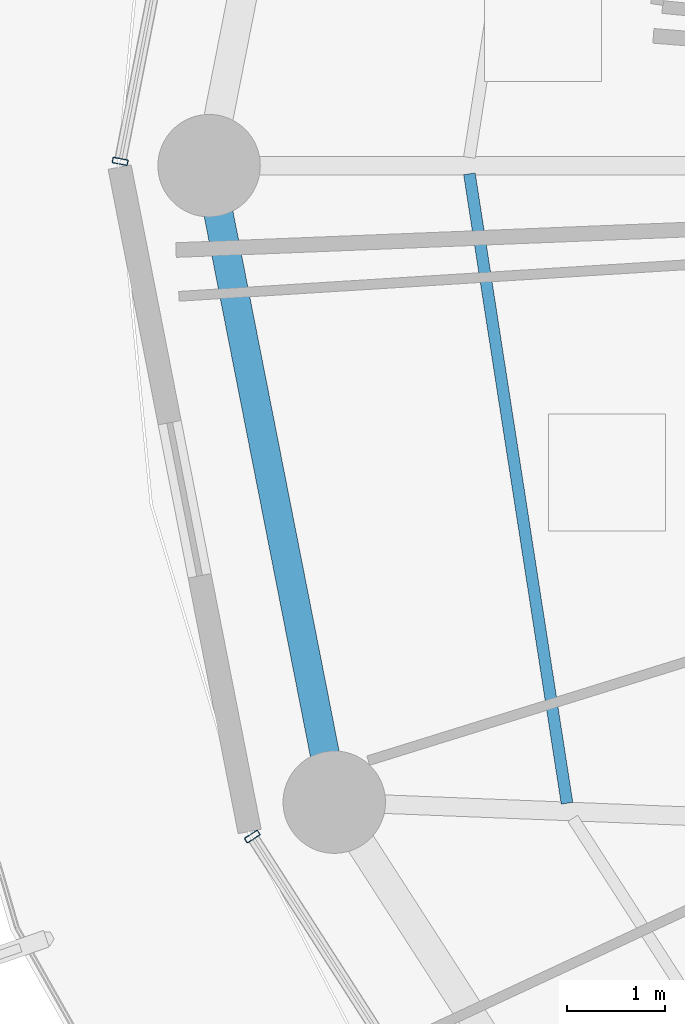
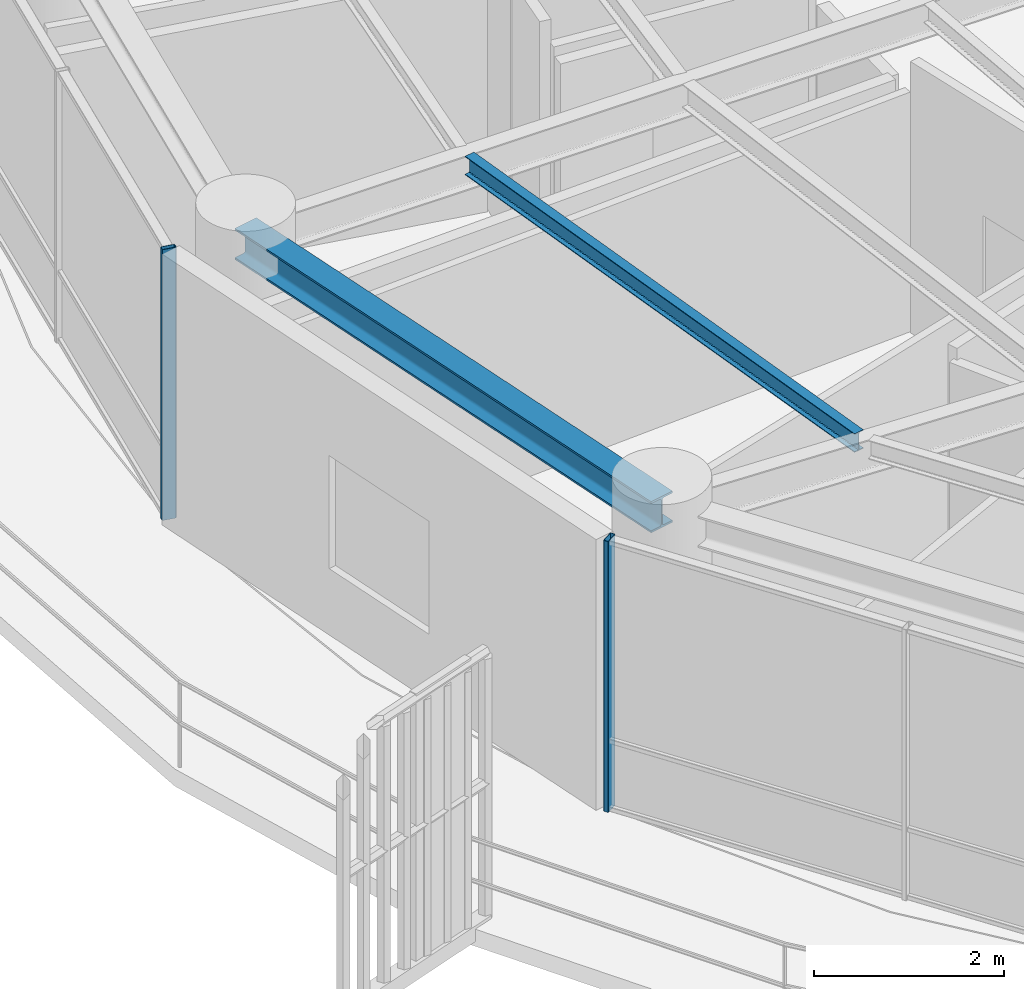
# One storey, part 6 of 30: 2 beams, 2 members, 2 elements without a shape of their own.
"""IFC4 building model written with IfcOpenShell, lengths in metres."""

import ifcopenshell
import ifcopenshell.guid

model = None  # the IFC model being written
_history = None  # IfcOwnerHistory: only IFC2X3 demands one
_inside = {}  # id of a spatial element -> (the spatial element, [elements in it])
_under = {}  # id of a project, library or spatial element -> (it, [spatial elements below it])
_declared = {}  # id of a project -> (the project, [libraries it declares])
_typed = {}  # id of a type object -> (the type object, [elements of that type])
_made_of = {}  # id of a material, layer set ... -> (it, [elements and type objects made of it])


def new_model(schema):
    """Start an empty IFC model of exactly this schema.

    Asked for "IFC4X3", IfcOpenShell would pick the latest addendum, in which some entities
    have other attributes; the version numbers below select the first issue.
    IFC2X3 requires an IfcOwnerHistory on every rooted entity: one is made here for all.
    """
    global model, _history
    if schema == "IFC4X3":
        model = ifcopenshell.file(schema_version=(4, 3, 0, 0))
    else:
        model = ifcopenshell.file(schema=schema)
    _inside.clear()
    _under.clear()
    _declared.clear()
    _typed.clear()
    _made_of.clear()
    _history = None
    if model.schema == "IFC2X3":
        org = make("IfcOrganization", Name="unknown")
        user = make(
            "IfcPersonAndOrganization",
            ThePerson=make("IfcPerson", FamilyName="unknown"),
            TheOrganization=org,
        )
        app = make(
            "IfcApplication",
            ApplicationDeveloper=org,
            Version="unknown",
            ApplicationFullName="unknown",
            ApplicationIdentifier="unknown",
        )
        _history = make(
            "IfcOwnerHistory",
            OwningUser=user,
            OwningApplication=app,
            ChangeAction="ADDED",
            CreationDate=0,
        )
    return model


def make(cls, **values):
    """One entity of the class cls with the attributes given. An attribute that is None is left unset."""
    return model.create_entity(
        cls, **{name: value for name, value in values.items() if value is not None}
    )


def rooted(cls, **values):
    """An entity with a GlobalId (a new one), such as an element, a storey or a relation."""
    return make(cls, GlobalId=ifcopenshell.guid.new(), OwnerHistory=_history, **values)


def si_unit(unit_type, name, prefix=None):
    """IfcSIUnit, for example si_unit("LENGTHUNIT", "METRE", prefix="MILLI")."""
    return make("IfcSIUnit", UnitType=unit_type, Prefix=prefix, Name=name)


def assignment(units):
    """IfcUnitAssignment: the units of a project."""
    return None if units is None else make("IfcUnitAssignment", Units=units)


def point(xyz):
    """IfcCartesianPoint."""
    return None if xyz is None else make("IfcCartesianPoint", Coordinates=xyz)


def direction(xyz):
    """IfcDirection."""
    return None if xyz is None else make("IfcDirection", DirectionRatios=xyz)


def frame(location, z_axis=None, x_axis=None):
    """IfcAxis2Placement3D, a coordinate frame: its origin and axes. An axis left out is left unset."""
    return make(
        "IfcAxis2Placement3D",
        Location=point(location),
        Axis=direction(z_axis),
        RefDirection=direction(x_axis),
    )


def frame_2d(location, x_axis=None):
    """IfcAxis2Placement2D, a coordinate frame in the plane: its origin and x axis."""
    return make(
        "IfcAxis2Placement2D", Location=point(location), RefDirection=direction(x_axis)
    )


def origin():
    """The frame at (0, 0, 0) with its axes left unset."""
    return frame((0.0, 0.0, 0.0))


def origin_2d():
    """The frame at (0, 0) in the plane with its x axis left unset."""
    return frame_2d((0.0, 0.0))


def place(relative_to, where):
    """IfcLocalPlacement: puts the frame where relative to a parent placement (None: the world)."""
    return make(
        "IfcLocalPlacement", PlacementRelTo=relative_to, RelativePlacement=where
    )


def context(
    kind, dimensions, precision=None, world=None, true_north=None, identifier=None
):
    """IfcGeometricRepresentationContext, for example the 3D "Model" context."""
    return make(
        "IfcGeometricRepresentationContext",
        ContextIdentifier=identifier,
        ContextType=kind,
        CoordinateSpaceDimension=dimensions,
        Precision=precision,
        WorldCoordinateSystem=world,
        TrueNorth=true_north,
    )


def subcontext(parent, identifier, kind, view, scale=None):
    """IfcGeometricRepresentationSubContext, for example "Body" below "Model"."""
    return make(
        "IfcGeometricRepresentationSubContext",
        ContextIdentifier=identifier,
        ContextType=kind,
        ParentContext=parent,
        TargetScale=scale,
        TargetView=view,
    )


def project(units=None, contexts=None):
    """IfcProject with its units and contexts."""
    return rooted(
        "IfcProject",
        Name="project",
        RepresentationContexts=contexts,
        UnitsInContext=assignment(units),
    )


def spatial(cls, under=None, at=None, **own):
    """A site, building, storey or space (cls), placed at a placement, below another one or the project."""
    s = rooted(cls, ObjectPlacement=at, **own)
    if under is not None:
        _under.setdefault(under.id(), (under, []))[1].append(s)
    return s


def profile(cls, at=None, kind="AREA", **sizes):
    """A parametric profile (cls). Its sizes go by their IFC names, for example OverallWidth=200.0."""
    return make(cls, ProfileType=kind, Position=at, **sizes)


def hollow_rectangle(**sizes):
    """IfcRectangleHollowProfileDef."""
    return profile("IfcRectangleHollowProfileDef", **sizes)


def i_section(**sizes):
    """IfcIShapeProfileDef."""
    return profile("IfcIShapeProfileDef", **sizes)


def extrude(swept, where, along, depth):
    """IfcExtrudedAreaSolid: the profile swept, set in the frame where, extruded along a direction by depth."""
    return make(
        "IfcExtrudedAreaSolid",
        SweptArea=swept,
        Position=where,
        ExtrudedDirection=direction(along),
        Depth=depth,
    )


def shape(context_of_items, identifier, shape_type, items):
    """IfcShapeRepresentation: the items that make up one representation, for example the "Body"."""
    return make(
        "IfcShapeRepresentation",
        ContextOfItems=context_of_items,
        RepresentationIdentifier=identifier,
        RepresentationType=shape_type,
        Items=items,
    )


def material(Name=None, Category=None):
    """IfcMaterial."""
    return make("IfcMaterial", Name=Name, Category=Category)


def layer(
    of_material, thickness, ventilated=None, Name=None, Category=None, Priority=None
):
    """IfcMaterialLayer: one layer of a wall or slab, of a material (None: an air gap)."""
    return make(
        "IfcMaterialLayer",
        Material=of_material,
        LayerThickness=thickness,
        IsVentilated=ventilated,
        Name=Name,
        Category=Category,
        Priority=Priority,
    )


def layer_set(layers, Name=None):
    """IfcMaterialLayerSet."""
    return make("IfcMaterialLayerSet", MaterialLayers=layers, LayerSetName=Name)


def material_profile(
    of_material, cross_section, Name=None, Category=None, Priority=None
):
    """IfcMaterialProfile: a cross section and its material."""
    return make(
        "IfcMaterialProfile",
        Name=Name,
        Material=of_material,
        Profile=cross_section,
        Priority=Priority,
        Category=Category,
    )


def profile_set(profiles, Name=None, composite=None):
    """IfcMaterialProfileSet."""
    return make(
        "IfcMaterialProfileSet",
        Name=Name,
        MaterialProfiles=profiles,
        CompositeProfile=composite,
    )


def made_of(thing, what):
    """Note that an element or type object is made of a material, layer set ...; save() writes the relation."""
    if what is not None:
        _made_of.setdefault(what.id(), (what, []))[1].append(thing)
    return thing


def type_object(cls, material=None, **own):
    """A type object (cls), such as IfcWallType, which elements share."""
    return made_of(rooted(cls, **own), material)


def element(
    cls,
    number,
    at=None,
    inside=None,
    cuts=None,
    type_object=None,
    material=None,
    context=None,
    identifier="Body",
    shape_type=None,
    held_by="IfcProductDefinitionShape",
    body=None,
    shapes=None,
    **own,
):
    """One element of the class cls, such as IfcWall. Its Tag is "e" and its number.

    at: its placement. inside: the storey or other place that contains it. cuts: it is an
    opening in that element (IfcRelVoidsElement). A single representation is given by context,
    identifier, shape_type and body (its items); several are given by shapes. held_by: the class
    of the entity that holds the representations. save() writes the other relations.
    """
    e = rooted(cls, Tag="e%d" % number, ObjectPlacement=at, **own)
    if body is not None:
        shapes = [shape(context, identifier, shape_type, body)]
    if shapes is not None:
        e.Representation = make(held_by, Representations=shapes)
    if inside is not None:
        _inside.setdefault(inside.id(), (inside, []))[1].append(e)
    if cuts is not None:
        rooted(
            "IfcRelVoidsElement", RelatingBuildingElement=cuts, RelatedOpeningElement=e
        )
    if type_object is not None:
        _typed.setdefault(type_object.id(), (type_object, []))[1].append(e)
    return made_of(e, material)


def aggregate(whole, parts):
    """IfcRelAggregates: a whole, such as a stair, and the parts it consists of."""
    return rooted("IfcRelAggregates", RelatingObject=whole, RelatedObjects=parts)


def save(model, path):
    """Write the relations noted so far, then the file.

    IfcRelAggregates (storeys below a building ...), IfcRelContainedInSpatialStructure (elements
    in a storey), IfcRelDefinesByType, IfcRelAssociatesMaterial and IfcRelDeclares: one each for
    every whole, place, type object, material and project.
    """
    for whole, parts in _under.values():
        aggregate(whole, parts)
    for where, things in _inside.values():
        rooted(
            "IfcRelContainedInSpatialStructure",
            RelatedElements=things,
            RelatingStructure=where,
        )
    for kind, things in _typed.values():
        rooted("IfcRelDefinesByType", RelatedObjects=things, RelatingType=kind)
    for what, things in _made_of.values():
        rooted("IfcRelAssociatesMaterial", RelatedObjects=things, RelatingMaterial=what)
    for by, libraries in _declared.values():
        rooted("IfcRelDeclares", RelatingContext=by, RelatedDefinitions=libraries)
    model.write(path)


model = new_model("IFC4")

# Units and contexts
model_context = context("Model", 3, precision=1e-05, world=origin(), true_north=direction((0.0, 1.0)))
body_context = subcontext(model_context, "Body", "Model", "MODEL_VIEW")
ifc_project = project(units=[si_unit("LENGTHUNIT", "METRE"), si_unit("AREAUNIT", "SQUARE_METRE"), si_unit("VOLUMEUNIT", "CUBIC_METRE"), si_unit("PLANEANGLEUNIT", "RADIAN"), si_unit("MASSUNIT", "GRAM", prefix="KILO")], contexts=[model_context])

# Site, building, storey
site_placement = place(None, origin())
site = spatial("IfcSite", under=ifc_project, at=site_placement, CompositionType="ELEMENT")
building_placement = place(site_placement, origin())
building = spatial("IfcBuilding", under=site, at=building_placement, Name="Kelanora Arch Commons", CompositionType="ELEMENT")
storey_placement = place(building_placement, frame((0.0, 0.0, 234.449951171875)))
storey = spatial("IfcBuildingStorey", under=building, at=storey_placement, Name="L60", CompositionType="ELEMENT", Elevation=234.449951171875)

# Beams
ifc_material_1 = material(Name="Steel S355", Category="steel")
ifc_material_profile_1 = material_profile(ifc_material_1, i_section(OverallWidth=0.1201171875, OverallDepth=0.239990234375, WebThickness=0.006103515625, FlangeThickness=0.009765625, FilletRadius=0.014892578125, at=origin_2d()), Name="IPE240")
ifc_profile_set_1 = profile_set([ifc_material_profile_1], Name="Steel S355")
beam_type_1 = type_object("IfcBeamType", Name="BM-JST-02", PredefinedType="JOIST", material=ifc_profile_set_1)
beam_1_placement = place(storey_placement, frame((55.388916015625, 57.916015625, 3.3701171875), z_axis=(0.153256756152, -0.988186402808, 0.0), x_axis=(0.988186402808, 0.153256756152, 0.0)))
element("IfcBeam", 1, at=beam_1_placement, inside=storey, type_object=beam_type_1, Name="Secondary Chord Joist BJC-18 L60", PredefinedType="JOIST", context=body_context, shape_type="SweptSolid", body=[
    extrude(i_section(OverallWidth=0.1201171875, OverallDepth=0.239990234375, WebThickness=0.006103515625, FlangeThickness=0.009765625, FilletRadius=0.014892578125, at=origin_2d()), origin(), (0.0, 0.0, 1.0), 6.52978515625),
])
ifc_material_profile_2 = material_profile(ifc_material_1, i_section(OverallWidth=0.300048828125, OverallDepth=0.39990234375, WebThickness=0.013427734375, FlangeThickness=0.02392578125, FilletRadius=0.027099609375, at=origin_2d()), Name="HEB400")
ifc_profile_set_2 = profile_set([ifc_material_profile_2], Name="Steel S355")
beam_type_2 = type_object("IfcBeamType", Name="BM-SPN-Z4", PredefinedType="SPANDREL", material=ifc_profile_set_2)
beam_2_placement = place(storey_placement, frame((52.719970703125, 58.0, 3.2900390625), z_axis=(0.192980724826, -0.981202547819, 0.0), x_axis=(0.981202547819, 0.192980724826, 0.0)))
element("IfcBeam", 2, at=beam_2_placement, inside=storey, type_object=beam_type_2, Name="Perimeter Spandrel Beam BS-18 L60", PredefinedType="SPANDREL", context=body_context, shape_type="SweptSolid", body=[
    extrude(i_section(OverallWidth=0.300048828125, OverallDepth=0.39990234375, WebThickness=0.013427734375, FlangeThickness=0.02392578125, FilletRadius=0.027099609375, at=origin_2d()), origin(), (0.0, 0.0, 1.0), 6.650634765625),
])

# Curtain wall, member
ifc_material_2 = material(Name="Terracotta ceramic-fritted low-E glass and aluminium", Category="masonry")
ifc_layer = layer(ifc_material_2, 0.175048828125)
ifc_layer_set = layer_set([ifc_layer], Name="Terracotta ceramic-fritted low-E glass and aluminium")
curtain_wall_type = type_object("IfcCurtainWallType", Name="CW-SYS-02", PredefinedType="NOTDEFINED", material=ifc_layer_set)
curtain_wall_1_placement = place(storey_placement, origin())
curtain_wall_1 = element("IfcCurtainWall", 3, at=curtain_wall_1_placement, inside=storey, type_object=curtain_wall_type, Name="Unitised Curtain Wall L60-B08", PredefinedType="NOTDEFINED")
ifc_material_3 = material(Name="Powder-coated aluminium terracotta", Category="masonry")
ifc_material_profile_3 = material_profile(ifc_material_3, hollow_rectangle(XDim=0.159912109375, YDim=0.06005859375, WallThickness=0.0048828125, InnerFilletRadius=0.0048828125, OuterFilletRadius=0.010009765625, at=origin_2d()), Name="CWM160x60")
ifc_profile_set_3 = profile_set([ifc_material_profile_3], Name="Powder-coated aluminium terracotta")
member_type = type_object("IfcMemberType", Name="CWM-STD", PredefinedType="MULLION", material=ifc_profile_set_3)
member_1_placement = place(storey_placement, frame((51.80859375, 58.044189453125, 0.0), z_axis=(0.0, 0.0, 1.0), x_axis=(0.981381438349, -0.192068926335, 0.0)))
member_1 = element("IfcMember", 4, at=member_1_placement, type_object=member_type, Name="CW-02 mullion 3", PredefinedType="MULLION", context=body_context, shape_type="SweptSolid", body=[
    extrude(hollow_rectangle(XDim=0.159912109375, YDim=0.06005859375, WallThickness=0.0048828125, InnerFilletRadius=0.0048828125, OuterFilletRadius=0.010009765625, at=origin_2d()), origin(), (0.0, 0.0, 1.0), 3.47509765625),
])
aggregate(curtain_wall_1, [member_1])

curtain_wall_2_placement = place(storey_placement, origin())
curtain_wall_2 = element("IfcCurtainWall", 5, at=curtain_wall_2_placement, inside=storey, type_object=curtain_wall_type, Name="Unitised Curtain Wall L60-B10", PredefinedType="NOTDEFINED")
member_2_placement = place(storey_placement, frame((53.1630859375, 51.121826171875, 0.0), z_axis=(0.0, 0.0, 1.0), x_axis=(0.84194757539, 0.539559338994, 0.0)))
member_2 = element("IfcMember", 6, at=member_2_placement, type_object=member_type, Name="CW-02 mullion 1", PredefinedType="MULLION", context=body_context, shape_type="SweptSolid", body=[
    extrude(hollow_rectangle(XDim=0.159912109375, YDim=0.06005859375, WallThickness=0.0048828125, InnerFilletRadius=0.0048828125, OuterFilletRadius=0.010009765625, at=origin_2d()), origin(), (0.0, 0.0, 1.0), 3.47509765625),
])
aggregate(curtain_wall_2, [member_2])

save(model, "model.ifc")
